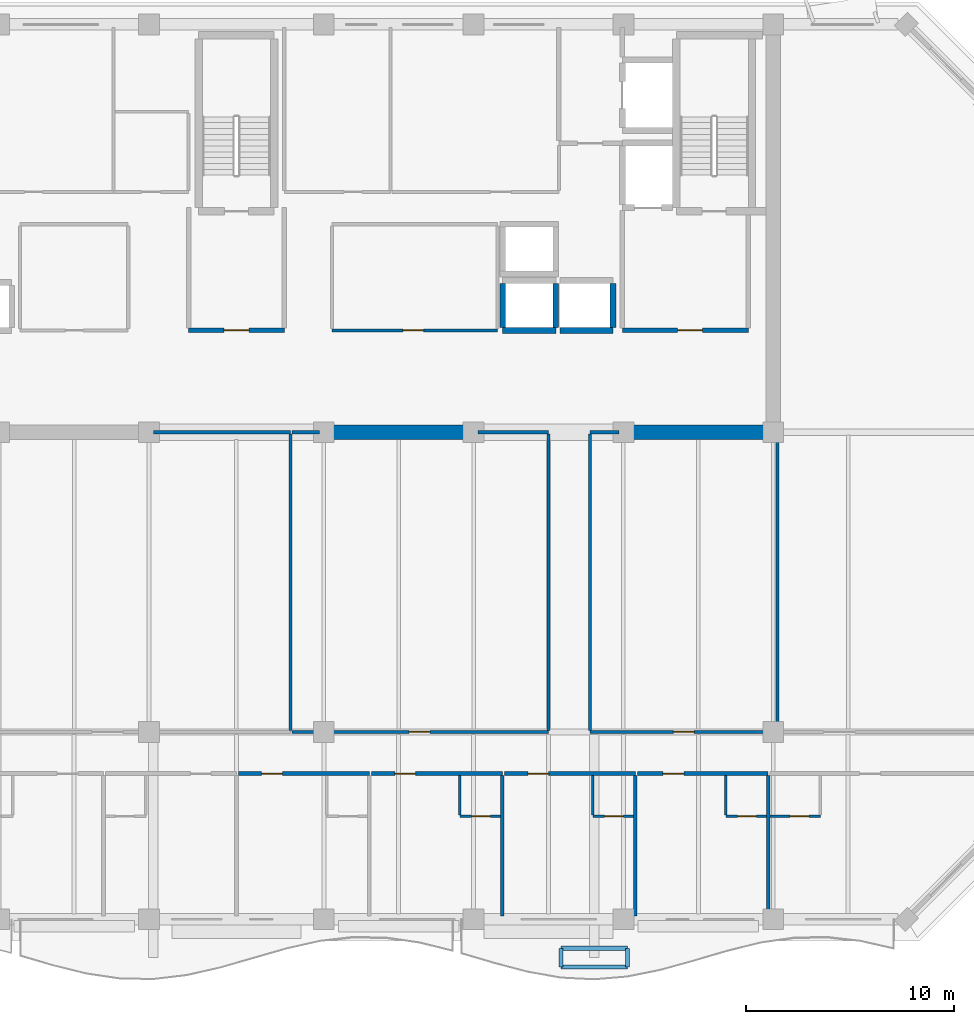
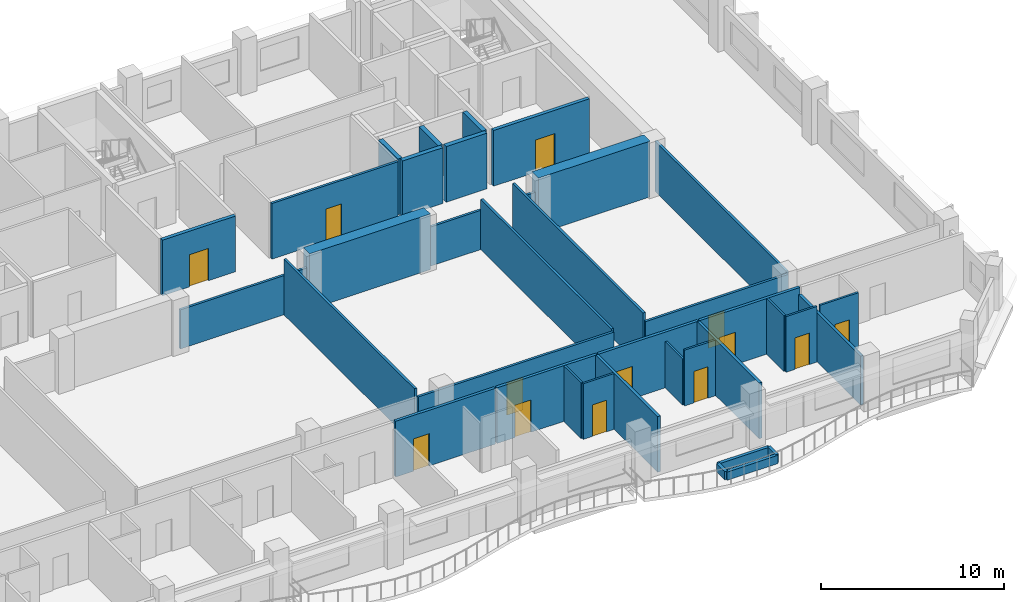
# One storey, part 5 of 11: 38 walls, 13 doors, 13 openings.
"""IFC4 building model written with IfcOpenShell, lengths in metres."""

import ifcopenshell
import ifcopenshell.guid

model = None  # the IFC model being written
_history = None  # IfcOwnerHistory: only IFC2X3 demands one
_inside = {}  # id of a spatial element -> (the spatial element, [elements in it])
_under = {}  # id of a project, library or spatial element -> (it, [spatial elements below it])
_declared = {}  # id of a project -> (the project, [libraries it declares])
_typed = {}  # id of a type object -> (the type object, [elements of that type])
_made_of = {}  # id of a material, layer set ... -> (it, [elements and type objects made of it])


def new_model(schema):
    """Start an empty IFC model of exactly this schema.

    Asked for "IFC4X3", IfcOpenShell would pick the latest addendum, in which some entities
    have other attributes; the version numbers below select the first issue.
    IFC2X3 requires an IfcOwnerHistory on every rooted entity: one is made here for all.
    """
    global model, _history
    if schema == "IFC4X3":
        model = ifcopenshell.file(schema_version=(4, 3, 0, 0))
    else:
        model = ifcopenshell.file(schema=schema)
    _inside.clear()
    _under.clear()
    _declared.clear()
    _typed.clear()
    _made_of.clear()
    _history = None
    if model.schema == "IFC2X3":
        org = make("IfcOrganization", Name="unknown")
        user = make(
            "IfcPersonAndOrganization",
            ThePerson=make("IfcPerson", FamilyName="unknown"),
            TheOrganization=org,
        )
        app = make(
            "IfcApplication",
            ApplicationDeveloper=org,
            Version="unknown",
            ApplicationFullName="unknown",
            ApplicationIdentifier="unknown",
        )
        _history = make(
            "IfcOwnerHistory",
            OwningUser=user,
            OwningApplication=app,
            ChangeAction="ADDED",
            CreationDate=0,
        )
    return model


def make(cls, **values):
    """One entity of the class cls with the attributes given. An attribute that is None is left unset."""
    return model.create_entity(
        cls, **{name: value for name, value in values.items() if value is not None}
    )


def rooted(cls, **values):
    """An entity with a GlobalId (a new one), such as an element, a storey or a relation."""
    return make(cls, GlobalId=ifcopenshell.guid.new(), OwnerHistory=_history, **values)


def si_unit(unit_type, name, prefix=None):
    """IfcSIUnit, for example si_unit("LENGTHUNIT", "METRE", prefix="MILLI")."""
    return make("IfcSIUnit", UnitType=unit_type, Prefix=prefix, Name=name)


def assignment(units):
    """IfcUnitAssignment: the units of a project."""
    return None if units is None else make("IfcUnitAssignment", Units=units)


def point(xyz):
    """IfcCartesianPoint."""
    return None if xyz is None else make("IfcCartesianPoint", Coordinates=xyz)


def direction(xyz):
    """IfcDirection."""
    return None if xyz is None else make("IfcDirection", DirectionRatios=xyz)


def frame(location, z_axis=None, x_axis=None):
    """IfcAxis2Placement3D, a coordinate frame: its origin and axes. An axis left out is left unset."""
    return make(
        "IfcAxis2Placement3D",
        Location=point(location),
        Axis=direction(z_axis),
        RefDirection=direction(x_axis),
    )


def frame_2d(location, x_axis=None):
    """IfcAxis2Placement2D, a coordinate frame in the plane: its origin and x axis."""
    return make(
        "IfcAxis2Placement2D", Location=point(location), RefDirection=direction(x_axis)
    )


def origin():
    """The frame at (0, 0, 0) with its axes left unset."""
    return frame((0.0, 0.0, 0.0))


def place(relative_to, where):
    """IfcLocalPlacement: puts the frame where relative to a parent placement (None: the world)."""
    return make(
        "IfcLocalPlacement", PlacementRelTo=relative_to, RelativePlacement=where
    )


def context(
    kind, dimensions, precision=None, world=None, true_north=None, identifier=None
):
    """IfcGeometricRepresentationContext, for example the 3D "Model" context."""
    return make(
        "IfcGeometricRepresentationContext",
        ContextIdentifier=identifier,
        ContextType=kind,
        CoordinateSpaceDimension=dimensions,
        Precision=precision,
        WorldCoordinateSystem=world,
        TrueNorth=true_north,
    )


def subcontext(parent, identifier, kind, view, scale=None):
    """IfcGeometricRepresentationSubContext, for example "Body" below "Model"."""
    return make(
        "IfcGeometricRepresentationSubContext",
        ContextIdentifier=identifier,
        ContextType=kind,
        ParentContext=parent,
        TargetScale=scale,
        TargetView=view,
    )


def project(units=None, contexts=None):
    """IfcProject with its units and contexts."""
    return rooted(
        "IfcProject",
        Name="project",
        RepresentationContexts=contexts,
        UnitsInContext=assignment(units),
    )


def spatial(cls, under=None, at=None, **own):
    """A site, building, storey or space (cls), placed at a placement, below another one or the project."""
    s = rooted(cls, ObjectPlacement=at, **own)
    if under is not None:
        _under.setdefault(under.id(), (under, []))[1].append(s)
    return s


def profile(cls, at=None, kind="AREA", **sizes):
    """A parametric profile (cls). Its sizes go by their IFC names, for example OverallWidth=200.0."""
    return make(cls, ProfileType=kind, Position=at, **sizes)


def rectangle(**sizes):
    """IfcRectangleProfileDef."""
    return profile("IfcRectangleProfileDef", **sizes)


def extrude(swept, where, along, depth):
    """IfcExtrudedAreaSolid: the profile swept, set in the frame where, extruded along a direction by depth."""
    return make(
        "IfcExtrudedAreaSolid",
        SweptArea=swept,
        Position=where,
        ExtrudedDirection=direction(along),
        Depth=depth,
    )


def shape(context_of_items, identifier, shape_type, items):
    """IfcShapeRepresentation: the items that make up one representation, for example the "Body"."""
    return make(
        "IfcShapeRepresentation",
        ContextOfItems=context_of_items,
        RepresentationIdentifier=identifier,
        RepresentationType=shape_type,
        Items=items,
    )


def material(Name=None, Category=None):
    """IfcMaterial."""
    return make("IfcMaterial", Name=Name, Category=Category)


def layer(
    of_material, thickness, ventilated=None, Name=None, Category=None, Priority=None
):
    """IfcMaterialLayer: one layer of a wall or slab, of a material (None: an air gap)."""
    return make(
        "IfcMaterialLayer",
        Material=of_material,
        LayerThickness=thickness,
        IsVentilated=ventilated,
        Name=Name,
        Category=Category,
        Priority=Priority,
    )


def layer_set(layers, Name=None):
    """IfcMaterialLayerSet."""
    return make("IfcMaterialLayerSet", MaterialLayers=layers, LayerSetName=Name)


def made_of(thing, what):
    """Note that an element or type object is made of a material, layer set ...; save() writes the relation."""
    if what is not None:
        _made_of.setdefault(what.id(), (what, []))[1].append(thing)
    return thing


def type_object(cls, material=None, **own):
    """A type object (cls), such as IfcWallType, which elements share."""
    return made_of(rooted(cls, **own), material)


def element(
    cls,
    number,
    at=None,
    inside=None,
    cuts=None,
    type_object=None,
    material=None,
    context=None,
    identifier="Body",
    shape_type=None,
    held_by="IfcProductDefinitionShape",
    body=None,
    shapes=None,
    **own,
):
    """One element of the class cls, such as IfcWall. Its Tag is "e" and its number.

    at: its placement. inside: the storey or other place that contains it. cuts: it is an
    opening in that element (IfcRelVoidsElement). A single representation is given by context,
    identifier, shape_type and body (its items); several are given by shapes. held_by: the class
    of the entity that holds the representations. save() writes the other relations.
    """
    e = rooted(cls, Tag="e%d" % number, ObjectPlacement=at, **own)
    if body is not None:
        shapes = [shape(context, identifier, shape_type, body)]
    if shapes is not None:
        e.Representation = make(held_by, Representations=shapes)
    if inside is not None:
        _inside.setdefault(inside.id(), (inside, []))[1].append(e)
    if cuts is not None:
        rooted(
            "IfcRelVoidsElement", RelatingBuildingElement=cuts, RelatedOpeningElement=e
        )
    if type_object is not None:
        _typed.setdefault(type_object.id(), (type_object, []))[1].append(e)
    return made_of(e, material)


def fill(opening, filler):
    """IfcRelFillsElement: the door or window that sits in an opening."""
    return rooted(
        "IfcRelFillsElement",
        RelatingOpeningElement=opening,
        RelatedBuildingElement=filler,
    )


def aggregate(whole, parts):
    """IfcRelAggregates: a whole, such as a stair, and the parts it consists of."""
    return rooted("IfcRelAggregates", RelatingObject=whole, RelatedObjects=parts)


def save(model, path):
    """Write the relations noted so far, then the file.

    IfcRelAggregates (storeys below a building ...), IfcRelContainedInSpatialStructure (elements
    in a storey), IfcRelDefinesByType, IfcRelAssociatesMaterial and IfcRelDeclares: one each for
    every whole, place, type object, material and project.
    """
    for whole, parts in _under.values():
        aggregate(whole, parts)
    for where, things in _inside.values():
        rooted(
            "IfcRelContainedInSpatialStructure",
            RelatedElements=things,
            RelatingStructure=where,
        )
    for kind, things in _typed.values():
        rooted("IfcRelDefinesByType", RelatedObjects=things, RelatingType=kind)
    for what, things in _made_of.values():
        rooted("IfcRelAssociatesMaterial", RelatedObjects=things, RelatingMaterial=what)
    for by, libraries in _declared.values():
        rooted("IfcRelDeclares", RelatingContext=by, RelatedDefinitions=libraries)
    model.write(path)


model = new_model("IFC4")

# Units and contexts
model_context = context("Model", 3, precision=1e-05, world=origin(), true_north=direction((0.0, 1.0)))
body_context = subcontext(model_context, "Body", "Model", "MODEL_VIEW")
ifc_project = project(units=[si_unit("LENGTHUNIT", "METRE"), si_unit("AREAUNIT", "SQUARE_METRE"), si_unit("VOLUMEUNIT", "CUBIC_METRE"), si_unit("PLANEANGLEUNIT", "RADIAN"), si_unit("MASSUNIT", "GRAM", prefix="KILO")], contexts=[model_context])

# Site, building, storey
site_placement = place(None, origin())
site = spatial("IfcSite", under=ifc_project, at=site_placement, CompositionType="ELEMENT")
building_placement = place(site_placement, origin())
building = spatial("IfcBuilding", under=site, at=building_placement, Name="Kaelvorn Grand Hotel", CompositionType="ELEMENT")
storey_placement = place(building_placement, frame((0.0, 0.0, 233.10009765625)))
storey = spatial("IfcBuildingStorey", under=building, at=storey_placement, Name="L57", CompositionType="ELEMENT", Elevation=233.10009765625)

# Walls
ifc_material_1 = material(Name="Concrete C50/60", Category="concrete")
ifc_layer_1 = layer(ifc_material_1, 0.699951171875)
ifc_layer_set_1 = layer_set([ifc_layer_1], Name="Concrete C50/60")
wall_type_1 = type_object("IfcWallType", Name="WL-CORE-700-C50", PredefinedType="SHEAR", material=ifc_layer_set_1)
wall_1_placement = place(storey_placement, frame((46.0, 29.39990234375, 0.0), z_axis=(0.0, 0.0, 1.0), x_axis=(1.0, 0.0, 0.0)))
element("IfcWall", 1, at=wall_1_placement, inside=storey, type_object=wall_type_1, Name="L57 Rear-Core Coupled Shear Pier S3", PredefinedType="SHEAR", context=body_context, shape_type="SweptSolid", body=[
    extrude(rectangle(XDim=7.60009765625, YDim=0.699951171875, at=frame_2d((3.800048828125, 0.0))), origin(), (0.0, 0.0, 1.0), 3.7099609375),
])
wall_2_placement = place(storey_placement, frame((60.39990234375, 29.39990234375, 0.0), z_axis=(0.0, 0.0, 1.0), x_axis=(1.0, 0.0, 0.0)))
element("IfcWall", 2, at=wall_2_placement, inside=storey, type_object=wall_type_1, Name="L57 Rear-Core Coupled Shear Pier S4", PredefinedType="SHEAR", context=body_context, shape_type="SweptSolid", body=[
    extrude(rectangle(XDim=7.045166015625, YDim=0.699951171875, at=frame_2d((3.5224609375, 0.0))), origin(), (0.0, 0.0, 1.0), 3.7099609375),
])

# Wall, opening, door
ifc_material_2 = material(Name="Moisture-Resistant Tile & Stud Board")
ifc_layer_2 = layer(ifc_material_2, 0.125)
ifc_layer_set_2 = layer_set([ifc_layer_2], Name="Moisture-Resistant Tile & Stud Board")
wall_type_2 = type_object("IfcWallType", Name="WL-PART-125-WET", PredefinedType="PARTITIONING", material=ifc_layer_set_2)
wall_3_placement = place(storey_placement, frame((52.739990234375, 10.949951171875, 0.0), z_axis=(0.0, 0.0, 1.0), x_axis=(1.0, 0.0, 0.0)))
wall_3 = element("IfcWall", 3, at=wall_3_placement, inside=storey, type_object=wall_type_2, Name="L57 En-suite Bathroom L57-07 S Partition", PredefinedType="PARTITIONING", context=body_context, shape_type="SweptSolid", body=[
    extrude(rectangle(XDim=1.945068359375, YDim=0.125, at=frame_2d((0.97265625, 0.0))), origin(), (0.0, 0.0, 1.0), 3.7099609375),
])
opening_1_placement = place(wall_3_placement, frame((0.570068359375, 0.0, 0.0)))
opening_1 = element("IfcOpeningElement", 4, at=opening_1_placement, cuts=wall_3, Name="Opening DI4", PredefinedType="OPENING", context=body_context, shape_type="SweptSolid", body=[
    extrude(rectangle(XDim=0.89990234375, YDim=2.10009765625, at=frame_2d((0.449951171875, 1.050048828125))), frame((0.0, 0.072509765625, 0.0), z_axis=(0.0, -1.0, 0.0), x_axis=(1.0, 0.0, 0.0)), (0.0, 0.0, 1.0), 0.14501953125),
])
ifc_material_3 = material(Name="Timber Veneer Leaf", Category="wood")
door_type_1 = type_object("IfcDoorType", Name="DR-INT-BATH-900x2100", OperationType="NOTDEFINED", PredefinedType="DOOR", material=ifc_material_3)
door_1_placement = place(opening_1_placement, origin())
door_1 = element("IfcDoor", 5, at=door_1_placement, inside=storey, type_object=door_type_1, Name="L57 En-suite Bathroom L57-07 Door", OperationType="SINGLE_SWING_RIGHT", OverallHeight=2.10009765625, OverallWidth=0.89990234375, PredefinedType="DOOR", context=body_context, shape_type="SweptSolid", body=[
    extrude(rectangle(XDim=0.89990234375, YDim=2.10009765625, at=frame_2d((0.449951171875, 1.050048828125))), frame((0.0, 0.02490234375, 0.0), z_axis=(0.0, -1.0, 0.0), x_axis=(1.0, 0.0, 0.0)), (0.0, 0.0, 1.0), 0.050048828125),
])
fill(opening_1, door_1)

# Wall
wall_4_placement = place(storey_placement, frame((52.739990234375, 11.017578125, 0.0), z_axis=(0.0, 0.0, 1.0), x_axis=(0.0, 1.0, 0.0)))
element("IfcWall", 6, at=wall_4_placement, inside=storey, type_object=wall_type_2, Name="L57 En-suite Bathroom L57-07 W Partition", PredefinedType="PARTITIONING", context=body_context, shape_type="SweptSolid", body=[
    extrude(rectangle(XDim=1.887451171875, YDim=0.125, at=frame_2d((0.94384765625, 0.0))), origin(), (0.0, 0.0, 1.0), 3.7099609375),
])

# Wall, opening, door
wall_5_placement = place(storey_placement, frame((59.1298828125, 10.949951171875, 0.0), z_axis=(0.0, 0.0, 1.0), x_axis=(1.0, 0.0, 0.0)))
wall_5 = element("IfcWall", 7, at=wall_5_placement, inside=storey, type_object=wall_type_2, Name="L57 En-suite Bathroom L57-08 S Partition", PredefinedType="PARTITIONING", context=body_context, shape_type="SweptSolid", body=[
    extrude(rectangle(XDim=1.945068359375, YDim=0.125, at=frame_2d((0.97265625, 0.0))), origin(), (0.0, 0.0, 1.0), 3.7099609375),
])
opening_2_placement = place(wall_5_placement, frame((0.570068359375, 0.0, 0.0)))
opening_2 = element("IfcOpeningElement", 8, at=opening_2_placement, cuts=wall_5, Name="Opening DI4", PredefinedType="OPENING", context=body_context, shape_type="SweptSolid", body=[
    extrude(rectangle(XDim=0.89990234375, YDim=2.10009765625, at=frame_2d((0.449951171875, 1.050048828125))), frame((0.0, 0.072509765625, 0.0), z_axis=(0.0, -1.0, 0.0), x_axis=(1.0, 0.0, 0.0)), (0.0, 0.0, 1.0), 0.14501953125),
])
door_2_placement = place(opening_2_placement, origin())
door_2 = element("IfcDoor", 9, at=door_2_placement, inside=storey, type_object=door_type_1, Name="L57 En-suite Bathroom L57-08 Door", OperationType="SINGLE_SWING_RIGHT", OverallHeight=2.10009765625, OverallWidth=0.89990234375, PredefinedType="DOOR", context=body_context, shape_type="SweptSolid", body=[
    extrude(rectangle(XDim=0.89990234375, YDim=2.10009765625, at=frame_2d((0.449951171875, 1.050048828125))), frame((0.0, 0.02490234375, 0.0), z_axis=(0.0, -1.0, 0.0), x_axis=(1.0, 0.0, 0.0)), (0.0, 0.0, 1.0), 0.050048828125),
])
fill(opening_2, door_2)

# Wall
wall_6_placement = place(storey_placement, frame((59.1298828125, 11.017578125, 0.0), z_axis=(0.0, 0.0, 1.0), x_axis=(0.0, 1.0, 0.0)))
element("IfcWall", 10, at=wall_6_placement, inside=storey, type_object=wall_type_2, Name="L57 En-suite Bathroom L57-08 W Partition", PredefinedType="PARTITIONING", context=body_context, shape_type="SweptSolid", body=[
    extrude(rectangle(XDim=1.887451171875, YDim=0.125, at=frame_2d((0.94384765625, 0.0))), origin(), (0.0, 0.0, 1.0), 3.079833984375),
])

# Wall, opening, door
wall_7_placement = place(storey_placement, frame((65.52001953125, 10.949951171875, 0.0), z_axis=(0.0, 0.0, 1.0), x_axis=(1.0, 0.0, 0.0)))
wall_7 = element("IfcWall", 11, at=wall_7_placement, inside=storey, type_object=wall_type_2, Name="L57 En-suite Bathroom L57-09 S Partition", PredefinedType="PARTITIONING", context=body_context, shape_type="SweptSolid", body=[
    extrude(rectangle(XDim=1.945068359375, YDim=0.125, at=frame_2d((0.97265625, 0.0))), origin(), (0.0, 0.0, 1.0), 3.7099609375),
])
opening_3_placement = place(wall_7_placement, frame((0.570068359375, 0.0, 0.0)))
opening_3 = element("IfcOpeningElement", 12, at=opening_3_placement, cuts=wall_7, Name="Opening DI4", PredefinedType="OPENING", context=body_context, shape_type="SweptSolid", body=[
    extrude(rectangle(XDim=0.89990234375, YDim=2.10009765625, at=frame_2d((0.449951171875, 1.050048828125))), frame((0.0, 0.072509765625, 0.0), z_axis=(0.0, -1.0, 0.0), x_axis=(1.0, 0.0, 0.0)), (0.0, 0.0, 1.0), 0.14501953125),
])
door_3_placement = place(opening_3_placement, origin())
door_3 = element("IfcDoor", 13, at=door_3_placement, inside=storey, type_object=door_type_1, Name="L57 En-suite Bathroom L57-09 Door", OperationType="SINGLE_SWING_RIGHT", OverallHeight=2.10009765625, OverallWidth=0.89990234375, PredefinedType="DOOR", context=body_context, shape_type="SweptSolid", body=[
    extrude(rectangle(XDim=0.89990234375, YDim=2.10009765625, at=frame_2d((0.449951171875, 1.050048828125))), frame((0.0, 0.02490234375, 0.0), z_axis=(0.0, -1.0, 0.0), x_axis=(1.0, 0.0, 0.0)), (0.0, 0.0, 1.0), 0.050048828125),
])
fill(opening_3, door_3)

# Wall
wall_8_placement = place(storey_placement, frame((65.52001953125, 11.017578125, 0.0), z_axis=(0.0, 0.0, 1.0), x_axis=(0.0, 1.0, 0.0)))
element("IfcWall", 14, at=wall_8_placement, inside=storey, type_object=wall_type_2, Name="L57 En-suite Bathroom L57-09 W Partition", PredefinedType="PARTITIONING", context=body_context, shape_type="SweptSolid", body=[
    extrude(rectangle(XDim=1.887451171875, YDim=0.125, at=frame_2d((0.94384765625, 0.0))), origin(), (0.0, 0.0, 1.0), 3.7099609375),
])

# Wall, opening, door
wall_9_placement = place(storey_placement, frame((67.655029296875, 10.949951171875, 0.0), z_axis=(0.0, 0.0, 1.0), x_axis=(1.0, 0.0, 0.0)))
wall_9 = element("IfcWall", 15, at=wall_9_placement, inside=storey, type_object=wall_type_2, Name="L57 En-suite Bathroom L57-10 S Partition", PredefinedType="PARTITIONING", context=body_context, shape_type="SweptSolid", body=[
    extrude(rectangle(XDim=2.405029296875, YDim=0.125, at=frame_2d((1.20263671875, 0.0))), origin(), (0.0, 0.0, 1.0), 3.7099609375),
])
opening_4_placement = place(wall_9_placement, frame((0.955078125, 0.0, 0.0)))
opening_4 = element("IfcOpeningElement", 16, at=opening_4_placement, cuts=wall_9, Name="Opening DI4", PredefinedType="OPENING", context=body_context, shape_type="SweptSolid", body=[
    extrude(rectangle(XDim=0.89990234375, YDim=2.10009765625, at=frame_2d((0.449951171875, 1.050048828125))), frame((0.0, 0.072509765625, 0.0), z_axis=(0.0, -1.0, 0.0), x_axis=(1.0, 0.0, 0.0)), (0.0, 0.0, 1.0), 0.14501953125),
])
door_4_placement = place(opening_4_placement, origin())
door_4 = element("IfcDoor", 17, at=door_4_placement, inside=storey, type_object=door_type_1, Name="L57 En-suite Bathroom L57-10 Door", OperationType="SINGLE_SWING_RIGHT", OverallHeight=2.10009765625, OverallWidth=0.89990234375, PredefinedType="DOOR", context=body_context, shape_type="SweptSolid", body=[
    extrude(rectangle(XDim=0.89990234375, YDim=2.10009765625, at=frame_2d((0.449951171875, 1.050048828125))), frame((0.0, 0.02490234375, 0.0), z_axis=(0.0, -1.0, 0.0), x_axis=(1.0, 0.0, 0.0)), (0.0, 0.0, 1.0), 0.050048828125),
])
fill(opening_4, door_4)

ifc_material_4 = material(Name="Acoustic Gypsum & Stud Partition")
ifc_layer_3 = layer(ifc_material_4, 0.14990234375)
ifc_layer_set_3 = layer_set([ifc_layer_3], Name="Acoustic Gypsum & Stud Partition")
wall_type_3 = type_object("IfcWallType", Name="WL-PART-150-EI60", PredefinedType="PARTITIONING", material=ifc_layer_set_3)
wall_10_placement = place(storey_placement, frame((46.60009765625, 34.300048828125, 0.0), z_axis=(0.0, 0.0, 1.0), x_axis=(1.0, 0.0, 0.0)))
wall_10 = element("IfcWall", 18, at=wall_10_placement, inside=storey, type_object=wall_type_3, Name="L57 Sky Concierge & Butler Pantry Lounge S Partition", PredefinedType="PARTITIONING", context=body_context, shape_type="SweptSolid", body=[
    extrude(rectangle(XDim=7.949951171875, YDim=0.14990234375, at=frame_2d((3.97509765625, 0.0))), origin(), (0.0, 0.0, 1.0), 3.7099609375),
])
opening_5_placement = place(wall_10_placement, frame((3.39990234375, 0.0, 0.0)))
opening_5 = element("IfcOpeningElement", 19, at=opening_5_placement, cuts=wall_10, Name="Opening DI3", PredefinedType="OPENING", context=body_context, shape_type="SweptSolid", body=[
    extrude(rectangle(XDim=1.0, YDim=2.14990234375, at=frame_2d((0.5, 1.074951171875))), frame((0.0, 0.0849609375, 0.0), z_axis=(0.0, -1.0, 0.0), x_axis=(1.0, 0.0, 0.0)), (0.0, 0.0, 1.0), 0.169921875),
])
ifc_material_5 = material(Name="Timber Veneer Fire Leaf", Category="wood")
door_type_2 = type_object("IfcDoorType", Name="DR-INT-GUEST-1000x2150", OperationType="NOTDEFINED", PredefinedType="DOOR", material=ifc_material_5)
door_5_placement = place(opening_5_placement, origin())
door_5 = element("IfcDoor", 20, at=door_5_placement, inside=storey, type_object=door_type_2, Name="L57 Sky Concierge & Butler Pantry Lounge Door", OperationType="SINGLE_SWING_LEFT", OverallHeight=2.14990234375, OverallWidth=1.0, PredefinedType="DOOR", context=body_context, shape_type="SweptSolid", body=[
    extrude(rectangle(XDim=1.0, YDim=2.14990234375, at=frame_2d((0.5, 1.074951171875))), frame((0.0, 0.02490234375, 0.0), z_axis=(0.0, -1.0, 0.0), x_axis=(1.0, 0.0, 0.0)), (0.0, 0.0, 1.0), 0.050048828125),
])
fill(opening_5, door_5)

# Walls
wall_11_placement = place(storey_placement, frame((38.010009765625, 29.39990234375, 0.0), z_axis=(0.0, 0.0, 1.0), x_axis=(1.0, 0.0, 0.0)))
element("IfcWall", 21, at=wall_11_placement, inside=storey, type_object=wall_type_3, Name="L57 Guest Butler Kitchen N Partition (2)", PredefinedType="PARTITIONING", context=body_context, shape_type="SweptSolid", body=[
    extrude(rectangle(XDim=6.590087890625, YDim=0.14990234375, at=frame_2d((3.294921875, 0.0))), origin(), (0.0, 0.0, 1.0), 2.60986328125),
])
wall_12_placement = place(storey_placement, frame((44.60009765625, 15.080078125, 0.0), z_axis=(0.0, 0.0, 1.0), x_axis=(0.0, 1.0, 0.0)))
element("IfcWall", 22, at=wall_12_placement, inside=storey, type_object=wall_type_3, Name="L57 Guest Butler Kitchen E Partition", PredefinedType="PARTITIONING", context=body_context, shape_type="SweptSolid", body=[
    extrude(rectangle(XDim=14.239990234375, YDim=0.14990234375, at=frame_2d((7.1201171875, 0.0))), origin(), (0.0, 0.0, 1.0), 3.7099609375),
])

# Wall, opening, door
wall_13_placement = place(storey_placement, frame((44.679931640625, 15.0, 0.0), z_axis=(0.0, 0.0, 1.0), x_axis=(1.0, 0.0, 0.0)))
wall_13 = element("IfcWall", 23, at=wall_13_placement, inside=storey, type_object=wall_type_3, Name="L57 Suite Living Room S Partition", PredefinedType="PARTITIONING", context=body_context, shape_type="SweptSolid", body=[
    extrude(rectangle(XDim=12.320068359375, YDim=0.14990234375, at=frame_2d((6.16015625, 0.0))), origin(), (0.0, 0.0, 1.0), 3.2099609375),
])
opening_6_placement = place(wall_13_placement, frame((5.6201171875, 0.0, 0.0)))
opening_6 = element("IfcOpeningElement", 24, at=opening_6_placement, cuts=wall_13, Name="Opening DI3", PredefinedType="OPENING", context=body_context, shape_type="SweptSolid", body=[
    extrude(rectangle(XDim=1.0, YDim=2.14990234375, at=frame_2d((0.5, 1.074951171875))), frame((0.0, 0.0849609375, 0.0), z_axis=(0.0, -1.0, 0.0), x_axis=(1.0, 0.0, 0.0)), (0.0, 0.0, 1.0), 0.169921875),
])
door_6_placement = place(opening_6_placement, origin())
door_6 = element("IfcDoor", 25, at=door_6_placement, inside=storey, type_object=door_type_2, Name="L57 Suite Living Room Door", OperationType="SINGLE_SWING_RIGHT", OverallHeight=2.14990234375, OverallWidth=1.0, PredefinedType="DOOR", context=body_context, shape_type="SweptSolid", body=[
    extrude(rectangle(XDim=1.0, YDim=2.14990234375, at=frame_2d((0.5, 1.074951171875))), frame((0.0, 0.02490234375, 0.0), z_axis=(0.0, -1.0, 0.0), x_axis=(1.0, 0.0, 0.0)), (0.0, 0.0, 1.0), 0.050048828125),
])
fill(opening_6, door_6)

# Walls
wall_14_placement = place(storey_placement, frame((44.679931640625, 29.39990234375, 0.0), z_axis=(0.0, 0.0, 1.0), x_axis=(1.0, 0.0, 0.0)))
element("IfcWall", 26, at=wall_14_placement, inside=storey, type_object=wall_type_3, Name="L57 Suite Living Room N Partition (1)", PredefinedType="PARTITIONING", context=body_context, shape_type="SweptSolid", body=[
    extrude(rectangle(XDim=1.31005859375, YDim=0.14990234375, at=frame_2d((0.655029296875, 0.0))), origin(), (0.0, 0.0, 1.0), 2.60986328125),
])
wall_15_placement = place(storey_placement, frame((53.610107421875, 29.39990234375, 0.0), z_axis=(0.0, 0.0, 1.0), x_axis=(1.0, 0.0, 0.0)))
element("IfcWall", 27, at=wall_15_placement, inside=storey, type_object=wall_type_3, Name="L57 Suite Living Room N Partition (2)", PredefinedType="PARTITIONING", context=body_context, shape_type="SweptSolid", body=[
    extrude(rectangle(XDim=3.389892578125, YDim=0.14990234375, at=frame_2d((1.69482421875, 0.0))), origin(), (0.0, 0.0, 1.0), 2.60986328125),
])
wall_16_placement = place(storey_placement, frame((57.0, 15.080078125, 0.0), z_axis=(0.0, 0.0, 1.0), x_axis=(0.0, 1.0, 0.0)))
element("IfcWall", 28, at=wall_16_placement, inside=storey, type_object=wall_type_3, Name="L57 Suite Living Room E Partition", PredefinedType="PARTITIONING", context=body_context, shape_type="SweptSolid", body=[
    extrude(rectangle(XDim=14.239990234375, YDim=0.14990234375, at=frame_2d((7.1201171875, 0.0))), origin(), (0.0, 0.0, 1.0), 3.349853515625),
])

# Wall, opening, door
wall_17_placement = place(storey_placement, frame((59.0, 15.0, 0.0), z_axis=(0.0, 0.0, 1.0), x_axis=(1.0, 0.0, 0.0)))
wall_17 = element("IfcWall", 29, at=wall_17_placement, inside=storey, type_object=wall_type_3, Name="L57 Business Secretariat Office S Partition", PredefinedType="PARTITIONING", context=body_context, shape_type="SweptSolid", body=[
    extrude(rectangle(XDim=9.0, YDim=0.14990234375, at=frame_2d((4.5, 0.0))), origin(), (0.0, 0.0, 1.0), 3.2099609375),
])
opening_7_placement = place(wall_17_placement, frame((4.0, 0.0, 0.0)))
opening_7 = element("IfcOpeningElement", 30, at=opening_7_placement, cuts=wall_17, Name="Opening DI3", PredefinedType="OPENING", context=body_context, shape_type="SweptSolid", body=[
    extrude(rectangle(XDim=1.0, YDim=2.14990234375, at=frame_2d((0.5, 1.074951171875))), frame((0.0, 0.0849609375, 0.0), z_axis=(0.0, -1.0, 0.0), x_axis=(1.0, 0.0, 0.0)), (0.0, 0.0, 1.0), 0.169921875),
])
door_7_placement = place(opening_7_placement, origin())
door_7 = element("IfcDoor", 31, at=door_7_placement, inside=storey, type_object=door_type_2, Name="L57 Business Secretariat Office Door", OperationType="SINGLE_SWING_LEFT", OverallHeight=2.14990234375, OverallWidth=1.0, PredefinedType="DOOR", context=body_context, shape_type="SweptSolid", body=[
    extrude(rectangle(XDim=1.0, YDim=2.14990234375, at=frame_2d((0.5, 1.074951171875))), frame((0.0, 0.02490234375, 0.0), z_axis=(0.0, -1.0, 0.0), x_axis=(1.0, 0.0, 0.0)), (0.0, 0.0, 1.0), 0.050048828125),
])
fill(opening_7, door_7)

# Walls
wall_18_placement = place(storey_placement, frame((59.0, 29.39990234375, 0.0), z_axis=(0.0, 0.0, 1.0), x_axis=(1.0, 0.0, 0.0)))
element("IfcWall", 32, at=wall_18_placement, inside=storey, type_object=wall_type_3, Name="L57 Business Secretariat Office N Partition", PredefinedType="PARTITIONING", context=body_context, shape_type="SweptSolid", body=[
    extrude(rectangle(XDim=1.389892578125, YDim=0.14990234375, at=frame_2d((0.69482421875, 0.0))), origin(), (0.0, 0.0, 1.0), 2.60986328125),
])
wall_19_placement = place(storey_placement, frame((59.0, 15.080078125, 0.0), z_axis=(0.0, 0.0, 1.0), x_axis=(0.0, 1.0, 0.0)))
element("IfcWall", 33, at=wall_19_placement, inside=storey, type_object=wall_type_3, Name="L57 Business Secretariat Office W Partition", PredefinedType="PARTITIONING", context=body_context, shape_type="SweptSolid", body=[
    extrude(rectangle(XDim=14.239990234375, YDim=0.14990234375, at=frame_2d((7.1201171875, 0.0))), origin(), (0.0, 0.0, 1.0), 3.7099609375),
])
wall_20_placement = place(storey_placement, frame((68.0, 15.080078125, 0.0), z_axis=(0.0, 0.0, 1.0), x_axis=(0.0, 1.0, 0.0)))
element("IfcWall", 34, at=wall_20_placement, inside=storey, type_object=wall_type_3, Name="L57 Business Secretariat Office E Partition", PredefinedType="PARTITIONING", context=body_context, shape_type="SweptSolid", body=[
    extrude(rectangle(XDim=14.309814453125, YDim=0.14990234375, at=frame_2d((7.15478515625, 0.0))), origin(), (0.0, 0.0, 1.0), 3.349853515625),
])

# Wall, opening, door
ifc_layer_4 = layer(ifc_material_4, 0.179931640625)
ifc_layer_set_4 = layer_set([ifc_layer_4], Name="Acoustic Gypsum & Stud Partition")
wall_type_4 = type_object("IfcWallType", Name="WL-PART-180-EI60", PredefinedType="PARTITIONING", material=ifc_layer_set_4)
wall_21_placement = place(storey_placement, frame((42.094970703125, 13.0, 0.0), z_axis=(0.0, 0.0, 1.0), x_axis=(1.0, 0.0, 0.0)))
wall_21 = element("IfcWall", 35, at=wall_21_placement, inside=storey, type_object=wall_type_4, Name="L57 Ambassador Guest Room L57-06 N Partition", PredefinedType="PARTITIONING", context=body_context, shape_type="SweptSolid", body=[
    extrude(rectangle(XDim=6.294921875, YDim=0.179931640625, at=frame_2d((3.1474609375, 0.0))), origin(), (0.0, 0.0, 1.0), 3.7099609375),
])
opening_8_placement = place(wall_21_placement, frame((1.114990234375, 0.0, 0.0)))
opening_8 = element("IfcOpeningElement", 36, at=opening_8_placement, cuts=wall_21, Name="Opening DI3", PredefinedType="OPENING", context=body_context, shape_type="SweptSolid", body=[
    extrude(rectangle(XDim=1.0, YDim=2.14990234375, at=frame_2d((0.5, 1.074951171875))), frame((0.0, 0.10009765625, 0.0), z_axis=(0.0, -1.0, 0.0), x_axis=(1.0, 0.0, 0.0)), (0.0, 0.0, 1.0), 0.199951171875),
])
door_8_placement = place(opening_8_placement, origin())
door_8 = element("IfcDoor", 37, at=door_8_placement, inside=storey, type_object=door_type_2, Name="L57 Ambassador Guest Room L57-06 Door", OperationType="SINGLE_SWING_LEFT", OverallHeight=2.14990234375, OverallWidth=1.0, PredefinedType="DOOR", context=body_context, shape_type="SweptSolid", body=[
    extrude(rectangle(XDim=1.0, YDim=2.14990234375, at=frame_2d((0.5, 1.074951171875))), frame((0.0, 0.02490234375, 0.0), z_axis=(0.0, -1.0, 0.0), x_axis=(1.0, 0.0, 0.0)), (0.0, 0.0, 1.0), 0.050048828125),
])
fill(opening_8, door_8)

wall_22_placement = place(storey_placement, frame((48.485107421875, 13.0, 0.0), z_axis=(0.0, 0.0, 1.0), x_axis=(1.0, 0.0, 0.0)))
wall_22 = element("IfcWall", 38, at=wall_22_placement, inside=storey, type_object=wall_type_4, Name="L57 Ambassador Guest Room L57-07 N Partition", PredefinedType="PARTITIONING", context=body_context, shape_type="SweptSolid", body=[
    extrude(rectangle(XDim=6.294921875, YDim=0.179931640625, at=frame_2d((3.1474609375, 0.0))), origin(), (0.0, 0.0, 1.0), 3.7099609375),
])
opening_9_placement = place(wall_22_placement, frame((1.1298828125, 0.0, 0.0)))
opening_9 = element("IfcOpeningElement", 39, at=opening_9_placement, cuts=wall_22, Name="Opening DI3", PredefinedType="OPENING", context=body_context, shape_type="SweptSolid", body=[
    extrude(rectangle(XDim=1.0, YDim=2.14990234375, at=frame_2d((0.5, 1.074951171875))), frame((0.0, 0.10009765625, 0.0), z_axis=(0.0, -1.0, 0.0), x_axis=(1.0, 0.0, 0.0)), (0.0, 0.0, 1.0), 0.199951171875),
])
door_9_placement = place(opening_9_placement, origin())
door_9 = element("IfcDoor", 40, at=door_9_placement, inside=storey, type_object=door_type_2, Name="L57 Ambassador Guest Room L57-07 Door", OperationType="SINGLE_SWING_LEFT", OverallHeight=2.14990234375, OverallWidth=1.0, PredefinedType="DOOR", context=body_context, shape_type="SweptSolid", body=[
    extrude(rectangle(XDim=1.0, YDim=2.14990234375, at=frame_2d((0.5, 1.074951171875))), frame((0.0, 0.02490234375, 0.0), z_axis=(0.0, -1.0, 0.0), x_axis=(1.0, 0.0, 0.0)), (0.0, 0.0, 1.0), 0.050048828125),
])
fill(opening_9, door_9)

# Wall
wall_23_placement = place(storey_placement, frame((54.780029296875, 6.14990234375, 0.0), z_axis=(0.0, 0.0, 1.0), x_axis=(0.0, 1.0, 0.0)))
element("IfcWall", 41, at=wall_23_placement, inside=storey, type_object=wall_type_4, Name="L57 Ambassador Guest Room L57-07 E Partition", PredefinedType="PARTITIONING", context=body_context, shape_type="SweptSolid", body=[
    extrude(rectangle(XDim=6.755126953125, YDim=0.179931640625, at=frame_2d((3.37744140625, 0.0))), origin(), (0.0, 0.0, 1.0), 3.7099609375),
])

# Wall, opening, door
wall_24_placement = place(storey_placement, frame((54.875, 13.0, 0.0), z_axis=(0.0, 0.0, 1.0), x_axis=(1.0, 0.0, 0.0)))
wall_24 = element("IfcWall", 42, at=wall_24_placement, inside=storey, type_object=wall_type_4, Name="L57 Ambassador Guest Room L57-08 N Partition", PredefinedType="PARTITIONING", context=body_context, shape_type="SweptSolid", body=[
    extrude(rectangle(XDim=6.294921875, YDim=0.179931640625, at=frame_2d((3.1474609375, 0.0))), origin(), (0.0, 0.0, 1.0), 3.7099609375),
])
opening_10_placement = place(wall_24_placement, frame((1.1298828125, 0.0, 0.0)))
opening_10 = element("IfcOpeningElement", 43, at=opening_10_placement, cuts=wall_24, Name="Opening DI3", PredefinedType="OPENING", context=body_context, shape_type="SweptSolid", body=[
    extrude(rectangle(XDim=1.0, YDim=2.14990234375, at=frame_2d((0.5, 1.074951171875))), frame((0.0, 0.10009765625, 0.0), z_axis=(0.0, -1.0, 0.0), x_axis=(1.0, 0.0, 0.0)), (0.0, 0.0, 1.0), 0.199951171875),
])
door_10_placement = place(opening_10_placement, origin())
door_10 = element("IfcDoor", 44, at=door_10_placement, inside=storey, type_object=door_type_2, Name="L57 Ambassador Guest Room L57-08 Door", OperationType="SINGLE_SWING_LEFT", OverallHeight=2.14990234375, OverallWidth=1.0, PredefinedType="DOOR", context=body_context, shape_type="SweptSolid", body=[
    extrude(rectangle(XDim=1.0, YDim=2.14990234375, at=frame_2d((0.5, 1.074951171875))), frame((0.0, 0.02490234375, 0.0), z_axis=(0.0, -1.0, 0.0), x_axis=(1.0, 0.0, 0.0)), (0.0, 0.0, 1.0), 0.050048828125),
])
fill(opening_10, door_10)

# Wall
wall_25_placement = place(storey_placement, frame((61.169921875, 6.14990234375, 0.0), z_axis=(0.0, 0.0, 1.0), x_axis=(0.0, 1.0, 0.0)))
element("IfcWall", 45, at=wall_25_placement, inside=storey, type_object=wall_type_4, Name="L57 Ambassador Guest Room L57-08 E Partition", PredefinedType="PARTITIONING", context=body_context, shape_type="SweptSolid", body=[
    extrude(rectangle(XDim=6.755126953125, YDim=0.179931640625, at=frame_2d((3.37744140625, 0.0))), origin(), (0.0, 0.0, 1.0), 3.7099609375),
])

# Wall, opening, door
wall_26_placement = place(storey_placement, frame((61.264892578125, 13.0, 0.0), z_axis=(0.0, 0.0, 1.0), x_axis=(1.0, 0.0, 0.0)))
wall_26 = element("IfcWall", 46, at=wall_26_placement, inside=storey, type_object=wall_type_4, Name="L57 Ambassador Guest Room L57-09 N Partition", PredefinedType="PARTITIONING", context=body_context, shape_type="SweptSolid", body=[
    extrude(rectangle(XDim=6.295166015625, YDim=0.179931640625, at=frame_2d((3.1474609375, 0.0))), origin(), (0.0, 0.0, 1.0), 3.7099609375),
])
opening_11_placement = place(wall_26_placement, frame((1.235107421875, 0.0, 0.0)))
opening_11 = element("IfcOpeningElement", 47, at=opening_11_placement, cuts=wall_26, Name="Opening DI3", PredefinedType="OPENING", context=body_context, shape_type="SweptSolid", body=[
    extrude(rectangle(XDim=1.0, YDim=2.14990234375, at=frame_2d((0.5, 1.074951171875))), frame((0.0, 0.10009765625, 0.0), z_axis=(0.0, -1.0, 0.0), x_axis=(1.0, 0.0, 0.0)), (0.0, 0.0, 1.0), 0.199951171875),
])
door_11_placement = place(opening_11_placement, origin())
door_11 = element("IfcDoor", 48, at=door_11_placement, inside=storey, type_object=door_type_2, Name="L57 Ambassador Guest Room L57-09 Door", OperationType="SINGLE_SWING_LEFT", OverallHeight=2.14990234375, OverallWidth=1.0, PredefinedType="DOOR", context=body_context, shape_type="SweptSolid", body=[
    extrude(rectangle(XDim=1.0, YDim=2.14990234375, at=frame_2d((0.5, 1.074951171875))), frame((0.0, 0.02490234375, 0.0), z_axis=(0.0, -1.0, 0.0), x_axis=(1.0, 0.0, 0.0)), (0.0, 0.0, 1.0), 0.050048828125),
])
fill(opening_11, door_11)

# Wall
wall_27_placement = place(storey_placement, frame((67.56005859375, 6.14990234375, 0.0), z_axis=(0.0, 0.0, 1.0), x_axis=(0.0, 1.0, 0.0)))
element("IfcWall", 49, at=wall_27_placement, inside=storey, type_object=wall_type_4, Name="L57 Ambassador Guest Room L57-09 E Partition", PredefinedType="PARTITIONING", context=body_context, shape_type="SweptSolid", body=[
    extrude(rectangle(XDim=6.755126953125, YDim=0.179931640625, at=frame_2d((3.37744140625, 0.0))), origin(), (0.0, 0.0, 1.0), 3.260009765625),
])

# Wall, opening, door
ifc_material_6 = material(Name="Concrete C40/50", Category="concrete")
ifc_layer_5 = layer(ifc_material_6, 0.219970703125)
ifc_layer_set_5 = layer_set([ifc_layer_5], Name="Concrete C40/50")
wall_type_5 = type_object("IfcWallType", Name="WL-PART-220-EI120", PredefinedType="PARTITIONING", material=ifc_layer_set_5)
wall_28_placement = place(storey_placement, frame((60.550048828125, 34.300048828125, 0.0), z_axis=(0.0, 0.0, 1.0), x_axis=(1.0, 0.0, 0.0)))
wall_28 = element("IfcWall", 50, at=wall_28_placement, inside=storey, type_object=wall_type_5, Name="L57 Firefighting Lift Lobby 2 S Partition", PredefinedType="PARTITIONING", context=body_context, shape_type="SweptSolid", body=[
    extrude(rectangle(XDim=6.050048828125, YDim=0.219970703125, at=frame_2d((3.02490234375, 0.0))), origin(), (0.0, 0.0, 1.0), 3.7099609375),
])
opening_12_placement = place(wall_28_placement, frame((2.64990234375, 0.0, 0.0)))
opening_12 = element("IfcOpeningElement", 51, at=opening_12_placement, cuts=wall_28, Name="Opening DI2", PredefinedType="OPENING", context=body_context, shape_type="SweptSolid", body=[
    extrude(rectangle(XDim=1.199951171875, YDim=2.14990234375, at=frame_2d((0.60009765625, 1.074951171875))), frame((0.0, 0.1201171875, 0.0), z_axis=(0.0, -1.0, 0.0), x_axis=(1.0, 0.0, 0.0)), (0.0, 0.0, 1.0), 0.239990234375),
])
door_type_3 = type_object("IfcDoorType", Name="DR-INT-FFLOB-1200x2150", OperationType="NOTDEFINED", PredefinedType="DOOR", material=ifc_material_5)
door_12_placement = place(opening_12_placement, origin())
door_12 = element("IfcDoor", 52, at=door_12_placement, inside=storey, type_object=door_type_3, Name="L57 Firefighting Lift Lobby 2 Door", OperationType="SINGLE_SWING_LEFT", OverallHeight=2.14990234375, OverallWidth=1.199951171875, PredefinedType="DOOR", context=body_context, shape_type="SweptSolid", body=[
    extrude(rectangle(XDim=1.199951171875, YDim=2.14990234375, at=frame_2d((0.60009765625, 1.074951171875))), frame((0.0, 0.02490234375, 0.0), z_axis=(0.0, -1.0, 0.0), x_axis=(1.0, 0.0, 0.0)), (0.0, 0.0, 1.0), 0.050048828125),
])
fill(opening_12, door_12)

wall_29_placement = place(storey_placement, frame((39.699951171875, 34.300048828125, 0.0), z_axis=(0.0, 0.0, 1.0), x_axis=(1.0, 0.0, 0.0)))
wall_29 = element("IfcWall", 53, at=wall_29_placement, inside=storey, type_object=wall_type_5, Name="L57 Central Stair Escape Vestibule S Partition", PredefinedType="PARTITIONING", context=body_context, shape_type="SweptSolid", body=[
    extrude(rectangle(XDim=4.60009765625, YDim=0.219970703125, at=frame_2d((2.300048828125, 0.0))), origin(), (0.0, 0.0, 1.0), 3.7099609375),
])
opening_13_placement = place(wall_29_placement, frame((1.699951171875, 0.0, 0.0)))
opening_13 = element("IfcOpeningElement", 54, at=opening_13_placement, cuts=wall_29, Name="Opening DI2", PredefinedType="OPENING", context=body_context, shape_type="SweptSolid", body=[
    extrude(rectangle(XDim=1.199951171875, YDim=2.14990234375, at=frame_2d((0.60009765625, 1.074951171875))), frame((0.0, 0.1201171875, 0.0), z_axis=(0.0, -1.0, 0.0), x_axis=(1.0, 0.0, 0.0)), (0.0, 0.0, 1.0), 0.239990234375),
])
door_13_placement = place(opening_13_placement, origin())
door_13 = element("IfcDoor", 55, at=door_13_placement, inside=storey, type_object=door_type_3, Name="L57 Central Stair Escape Vestibule Door", OperationType="SINGLE_SWING_RIGHT", OverallHeight=2.14990234375, OverallWidth=1.199951171875, PredefinedType="DOOR", context=body_context, shape_type="SweptSolid", body=[
    extrude(rectangle(XDim=1.199951171875, YDim=2.14990234375, at=frame_2d((0.60009765625, 1.074951171875))), frame((0.0, 0.02490234375, 0.0), z_axis=(0.0, -1.0, 0.0), x_axis=(1.0, 0.0, 0.0)), (0.0, 0.0, 1.0), 0.050048828125),
])
fill(opening_13, door_13)

# Walls
ifc_layer_6 = layer(ifc_material_1, 0.280029296875)
ifc_layer_set_6 = layer_set([ifc_layer_6], Name="Concrete C50/60")
wall_type_6 = type_object("IfcWallType", Name="WL-SHAFT-280-C50", PredefinedType="SHEAR", material=ifc_layer_set_6)
wall_30_placement = place(storey_placement, frame((54.800048828125, 34.300048828125, 0.0), z_axis=(0.0, 0.0, 1.0), x_axis=(1.0, 0.0, 0.0)))
element("IfcWall", 56, at=wall_30_placement, inside=storey, type_object=wall_type_6, Name="L57 Lift OL-1 Shaft South Wall", PredefinedType="SHEAR", context=body_context, shape_type="SweptSolid", body=[
    extrude(rectangle(XDim=2.550048828125, YDim=0.280029296875, at=frame_2d((1.27490234375, 0.0))), origin(), (0.0, 0.0, 1.0), 3.7099609375),
])
for number, where, z_axis, x_axis, name in (
    (57, (54.800048828125, 34.445068359375, 0.0), (0.0, 0.0, 1.0), (0.0, 1.0, 0.0), "L57 Lift OL-1 Shaft West Wall"),
    (58, (57.35009765625, 34.445068359375, 0.0), (0.0, 0.0, 1.0), (0.0, 1.0, 0.0), "L57 Lift OL-1 Shaft East Wall"),
):
    element("IfcWall", number, at=place(storey_placement, frame(where, z_axis=z_axis, x_axis=x_axis)), inside=storey, type_object=wall_type_6, Name=name, PredefinedType="SHEAR", context=body_context, shape_type="SweptSolid", body=[
        extrude(rectangle(XDim=2.10986328125, YDim=0.280029296875, at=frame_2d((1.054931640625, 0.0))), origin(), (0.0, 0.0, 1.0), 3.7099609375),
    ])
wall_31_placement = place(storey_placement, frame((57.550048828125, 34.300048828125, 0.0), z_axis=(0.0, 0.0, 1.0), x_axis=(1.0, 0.0, 0.0)))
element("IfcWall", 59, at=wall_31_placement, inside=storey, type_object=wall_type_6, Name="L57 Lift OL-2 Shaft South Wall", PredefinedType="SHEAR", context=body_context, shape_type="SweptSolid", body=[
    extrude(rectangle(XDim=2.550048828125, YDim=0.280029296875, at=frame_2d((1.27490234375, 0.0))), origin(), (0.0, 0.0, 1.0), 3.7099609375),
])
wall_32_placement = place(storey_placement, frame((60.10009765625, 34.445068359375, 0.0), z_axis=(0.0, 0.0, 1.0), x_axis=(0.0, 1.0, 0.0)))
element("IfcWall", 60, at=wall_32_placement, inside=storey, type_object=wall_type_6, Name="L57 Lift OL-2 Shaft East Wall", PredefinedType="SHEAR", context=body_context, shape_type="SweptSolid", body=[
    extrude(rectangle(XDim=2.10986328125, YDim=0.280029296875, at=frame_2d((1.054931640625, 0.0))), origin(), (0.0, 0.0, 1.0), 3.7099609375),
])
ifc_layer_7 = layer(ifc_material_6, 0.199951171875)
ifc_layer_set_7 = layer_set([ifc_layer_7], Name="Concrete C40/50")
wall_type_7 = type_object("IfcWallType", Name="WL-TREE-PLANTER-200", PredefinedType="PARAPET", material=ifc_layer_set_7)
wall_33_placement = place(storey_placement, frame((57.60009765625, 3.699951171875, 0.0), z_axis=(0.0, 0.0, 1.0), x_axis=(1.0, 0.0, 0.0)))
element("IfcWall", 61, at=wall_33_placement, inside=storey, type_object=wall_type_7, Name="L57 Planted Balcony Structural TREE PLANTER Kerb 1-S", PredefinedType="PARAPET", context=body_context, shape_type="SweptSolid", body=[
    extrude(rectangle(XDim=3.199951171875, YDim=0.199951171875, at=frame_2d((1.60009765625, 0.0))), origin(), (0.0, 0.0, 1.0), 0.5498046875),
])
wall_34_placement = place(storey_placement, frame((60.800048828125, 3.699951171875, 0.0), z_axis=(0.0, 0.0, 1.0), x_axis=(0.0, 1.0, 0.0)))
element("IfcWall", 62, at=wall_34_placement, inside=storey, type_object=wall_type_7, Name="L57 Planted Balcony Structural TREE PLANTER Kerb 1-E", PredefinedType="PARAPET", context=body_context, shape_type="SweptSolid", body=[
    extrude(rectangle(XDim=0.900146484375, YDim=0.199951171875, at=frame_2d((0.4501953125, 0.0))), origin(), (0.0, 0.0, 1.0), 0.5498046875),
])
wall_35_placement = place(storey_placement, frame((60.800048828125, 4.60009765625, 0.0), z_axis=(0.0, 0.0, 1.0), x_axis=(-1.0, 0.0, 0.0)))
element("IfcWall", 63, at=wall_35_placement, inside=storey, type_object=wall_type_7, Name="L57 Planted Balcony Structural TREE PLANTER Kerb 1-N", PredefinedType="PARAPET", context=body_context, shape_type="SweptSolid", body=[
    extrude(rectangle(XDim=3.199951171875, YDim=0.199951171875, at=frame_2d((1.60009765625, 0.0))), origin(), (0.0, 0.0, 1.0), 0.5498046875),
])
wall_36_placement = place(storey_placement, frame((57.60009765625, 4.60009765625, 0.0), z_axis=(0.0, 0.0, 1.0), x_axis=(0.0, -1.0, 0.0)))
element("IfcWall", 64, at=wall_36_placement, inside=storey, type_object=wall_type_7, Name="L57 Planted Balcony Structural TREE PLANTER Kerb 1-W", PredefinedType="PARAPET", context=body_context, shape_type="SweptSolid", body=[
    extrude(rectangle(XDim=0.900146484375, YDim=0.199951171875, at=frame_2d((0.4501953125, 0.0))), origin(), (0.0, 0.0, 1.0), 0.5498046875),
])

save(model, "model.ifc")
